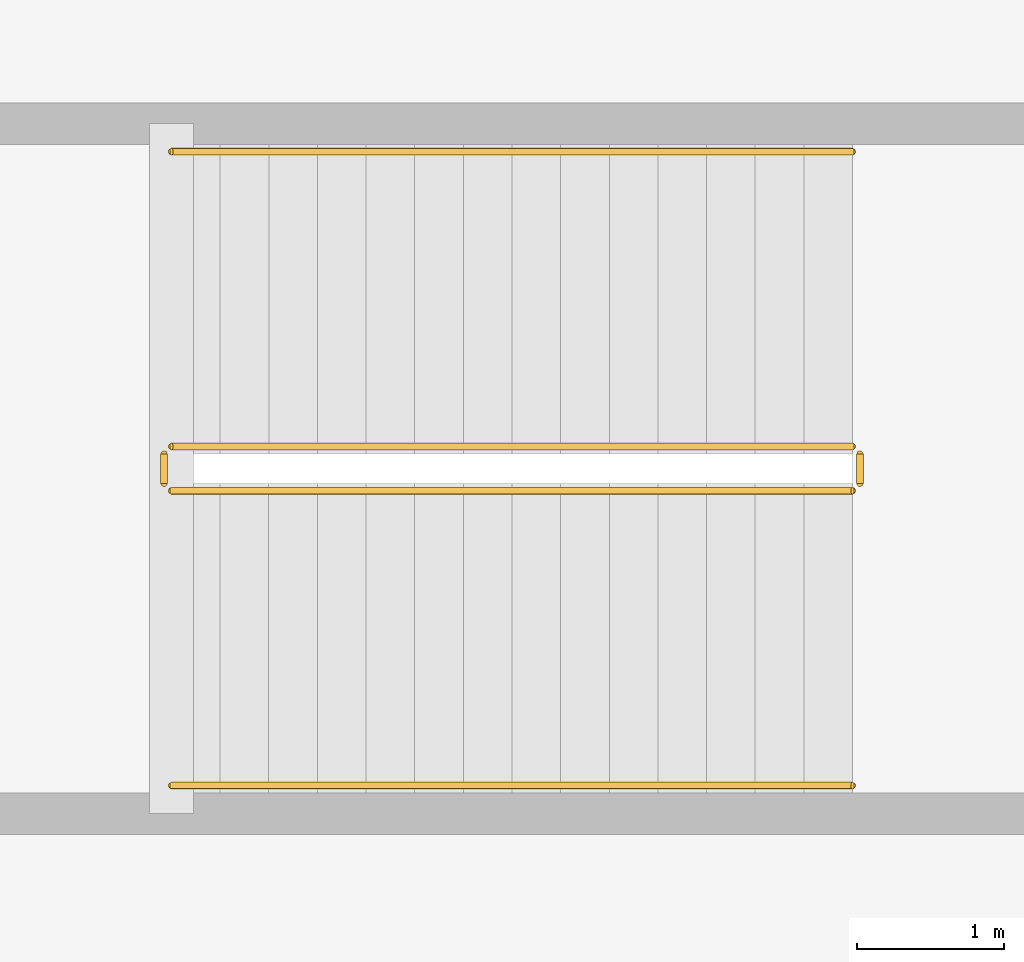
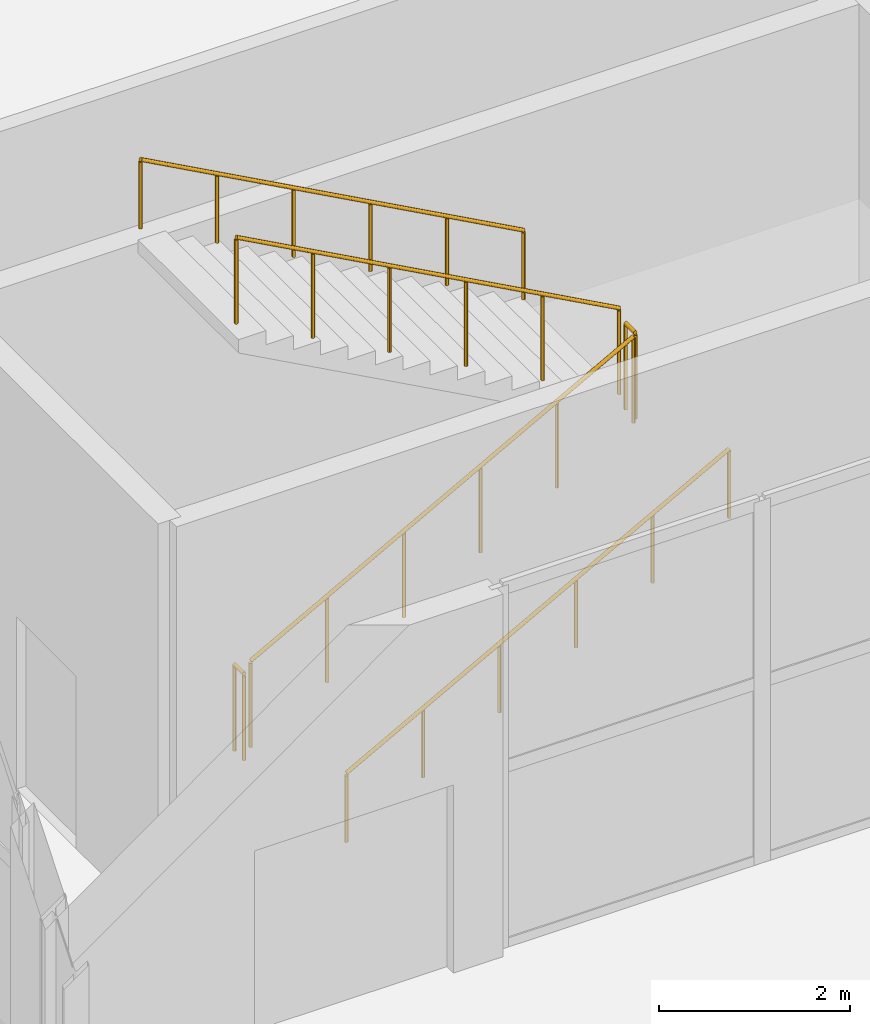
# One storey, part 73 of 87: 6 railings.
"""IFC4 building model written with IfcOpenShell, lengths in metres."""

from ifc_helpers import new_model, si_unit, direction, frame, origin, origin_2d, place, context, subcontext, project, spatial, circle, extrude, material, type_object, element, save


model = new_model("IFC4")

# Units and contexts
model_context = context("Model", 3, precision=1e-05, world=origin(), true_north=direction((0.0, 1.0)))
body_context = subcontext(model_context, "Body", "Model", "MODEL_VIEW")
ifc_project = project(units=[si_unit("LENGTHUNIT", "METRE"), si_unit("AREAUNIT", "SQUARE_METRE"), si_unit("VOLUMEUNIT", "CUBIC_METRE"), si_unit("PLANEANGLEUNIT", "RADIAN"), si_unit("MASSUNIT", "GRAM", prefix="KILO")], contexts=[model_context])

# Site, building, storey
site_placement = place(None, origin())
site = spatial("IfcSite", under=ifc_project, at=site_placement, CompositionType="ELEMENT")
building_placement = place(site_placement, origin())
building = spatial("IfcBuilding", under=site, at=building_placement, Name="Kimbaza Rail Terminus", CompositionType="ELEMENT")
storey_placement = place(building_placement, origin())
storey = spatial("IfcBuildingStorey", under=building, at=storey_placement, Name="L00", CompositionType="ELEMENT", Elevation=0.0)

# Railings
ifc_material_1 = material(Name="Brushed stainless steel handrail", Category="steel")
railing_type_1 = type_object("IfcRailingType", Name="ARC-RL-HND92", PredefinedType="HANDRAIL", material=ifc_material_1)
railing_1_placement = place(storey_placement, frame((59.89990234375, 43.25, 0.179931640625)))
element("IfcRailing", 1, at=railing_1_placement, inside=storey, type_object=railing_type_1, Name="L00 ST-S1 stair handrail 1", PredefinedType="HANDRAIL", context=body_context, shape_type="SweptSolid", body=[
    extrude(circle(Radius=0.02392578125, at=origin_2d()), frame((0.0, 0.0, 0.8759765625), z_axis=(0.877899118682, 0.0, 0.478845630049), x_axis=(0.0, 1.0, 0.0)), (0.0, 0.0, 1.0), 5.2626953125),
    extrude(circle(Radius=0.02099609375, at=origin_2d()), origin(), (0.0, 0.0, 1.0), 0.851806640625),
    extrude(circle(Radius=0.02099609375, at=origin_2d()), frame((0.924072265625, 0.0, 0.50390625)), (0.0, 0.0, 1.0), 0.851806640625),
    extrude(circle(Radius=0.02099609375, at=origin_2d()), frame((1.84814453125, 0.0, 1.008056640625)), (0.0, 0.0, 1.0), 0.851806640625),
    extrude(circle(Radius=0.02099609375, at=origin_2d()), frame((2.77197265625, 0.0, 1.511962890625)), (0.0, 0.0, 1.0), 0.851806640625),
    extrude(circle(Radius=0.02099609375, at=origin_2d()), frame((3.696044921875, 0.0, 2.01611328125)), (0.0, 0.0, 1.0), 0.851806640625),
    extrude(circle(Radius=0.02099609375, at=origin_2d()), frame((4.6201171875, 0.0, 2.52001953125)), (0.0, 0.0, 1.0), 0.851806640625),
])
railing_2_placement = place(storey_placement, frame((64.52001953125, 47.550048828125, 2.8798828125)))
element("IfcRailing", 2, at=railing_2_placement, inside=storey, type_object=railing_type_1, Name="L00 ST-S1 stair handrail 2", PredefinedType="HANDRAIL", context=body_context, shape_type="SweptSolid", body=[
    extrude(circle(Radius=0.02392578125, at=origin_2d()), frame((0.0, 0.0, 0.8759765625), z_axis=(-0.877899118682, 0.0, 0.478845630049), x_axis=(0.0, -1.0, 0.0)), (0.0, 0.0, 1.0), 5.2626953125),
    extrude(circle(Radius=0.02099609375, at=origin_2d()), origin(), (0.0, 0.0, 1.0), 0.851806640625),
    extrude(circle(Radius=0.02099609375, at=origin_2d()), frame((-0.924072265625, 0.0, 0.50390625)), (0.0, 0.0, 1.0), 0.851806640625),
    extrude(circle(Radius=0.02099609375, at=origin_2d()), frame((-1.84814453125, 0.0, 1.008056640625)), (0.0, 0.0, 1.0), 0.851806640625),
    extrude(circle(Radius=0.02099609375, at=origin_2d()), frame((-2.77197265625, 0.0, 1.511962890625)), (0.0, 0.0, 1.0), 0.851806640625),
    extrude(circle(Radius=0.02099609375, at=origin_2d()), frame((-3.696044921875, 0.0, 2.01611328125)), (0.0, 0.0, 1.0), 0.851806640625),
    extrude(circle(Radius=0.02099609375, at=origin_2d()), frame((-4.6201171875, 0.0, 2.52001953125)), (0.0, 0.0, 1.0), 0.851806640625),
])
ifc_material_2 = material(Name="Painted tubular steel stair well guard", Category="steel")
railing_type_2 = type_object("IfcRailingType", Name="ARC-RL-STGRD", PredefinedType="GUARDRAIL", material=ifc_material_2)
railing_3_placement = place(storey_placement, frame((59.89990234375, 45.25, 0.179931640625)))
element("IfcRailing", 3, at=railing_3_placement, inside=storey, type_object=railing_type_2, Name="L00 ST-S1 stair guard 1", PredefinedType="GUARDRAIL", context=body_context, shape_type="SweptSolid", body=[
    extrude(circle(Radius=0.02392578125, at=origin_2d()), frame((0.0, 0.0, 1.09619140625), z_axis=(0.877899118682, 0.0, 0.478845630049), x_axis=(0.0, 1.0, 0.0)), (0.0, 0.0, 1.0), 5.2626953125),
    extrude(circle(Radius=0.02099609375, at=origin_2d()), origin(), (0.0, 0.0, 1.0), 1.072021484375),
    extrude(circle(Radius=0.02099609375, at=origin_2d()), frame((0.924072265625, 0.0, 0.50390625)), (0.0, 0.0, 1.0), 1.072021484375),
    extrude(circle(Radius=0.02099609375, at=origin_2d()), frame((1.84814453125, 0.0, 1.008056640625)), (0.0, 0.0, 1.0), 1.072021484375),
    extrude(circle(Radius=0.02099609375, at=origin_2d()), frame((2.77197265625, 0.0, 1.511962890625)), (0.0, 0.0, 1.0), 1.072021484375),
    extrude(circle(Radius=0.02099609375, at=origin_2d()), frame((3.696044921875, 0.0, 2.01611328125)), (0.0, 0.0, 1.0), 1.072021484375),
    extrude(circle(Radius=0.02099609375, at=origin_2d()), frame((4.6201171875, 0.0, 2.52001953125)), (0.0, 0.0, 1.0), 1.072021484375),
])
railing_4_placement = place(storey_placement, frame((64.570068359375, 45.300048828125, 2.699951171875)))
element("IfcRailing", 4, at=railing_4_placement, inside=storey, type_object=railing_type_2, Name="L00 ST-S1 stair guard 2", PredefinedType="GUARDRAIL", context=body_context, shape_type="SweptSolid", body=[
    extrude(circle(Radius=0.02392578125, at=origin_2d()), frame((0.0, 0.0, 1.09619140625), z_axis=(0.0, 1.0, 0.0), x_axis=(-1.0, 0.0, 0.0)), (0.0, 0.0, 1.0), 0.199951171875),
    extrude(circle(Radius=0.02099609375, at=origin_2d()), origin(), (0.0, 0.0, 1.0), 1.072021484375),
    extrude(circle(Radius=0.02099609375, at=origin_2d()), frame((0.0, 0.199951171875, 0.0)), (0.0, 0.0, 1.0), 1.072021484375),
])
railing_5_placement = place(storey_placement, frame((64.52001953125, 45.550048828125, 2.8798828125)))
element("IfcRailing", 5, at=railing_5_placement, inside=storey, type_object=railing_type_2, Name="L00 ST-S1 stair guard 3", PredefinedType="GUARDRAIL", context=body_context, shape_type="SweptSolid", body=[
    extrude(circle(Radius=0.02392578125, at=origin_2d()), frame((0.0, 0.0, 1.09619140625), z_axis=(-0.877899118682, 0.0, 0.478845630049), x_axis=(0.0, -1.0, 0.0)), (0.0, 0.0, 1.0), 5.2626953125),
    extrude(circle(Radius=0.02099609375, at=origin_2d()), origin(), (0.0, 0.0, 1.0), 1.072021484375),
    extrude(circle(Radius=0.02099609375, at=origin_2d()), frame((-0.924072265625, 0.0, 0.50390625)), (0.0, 0.0, 1.0), 1.072021484375),
    extrude(circle(Radius=0.02099609375, at=origin_2d()), frame((-1.84814453125, 0.0, 1.008056640625)), (0.0, 0.0, 1.0), 1.072021484375),
    extrude(circle(Radius=0.02099609375, at=origin_2d()), frame((-2.77197265625, 0.0, 1.511962890625)), (0.0, 0.0, 1.0), 1.072021484375),
    extrude(circle(Radius=0.02099609375, at=origin_2d()), frame((-3.696044921875, 0.0, 2.01611328125)), (0.0, 0.0, 1.0), 1.072021484375),
    extrude(circle(Radius=0.02099609375, at=origin_2d()), frame((-4.6201171875, 0.0, 2.52001953125)), (0.0, 0.0, 1.0), 1.072021484375),
])
railing_6_placement = place(storey_placement, frame((59.85009765625, 45.300048828125, 0.0)))
element("IfcRailing", 6, at=railing_6_placement, inside=storey, type_object=railing_type_2, Name="L00 ST-S1 stair guard 4", PredefinedType="GUARDRAIL", context=body_context, shape_type="SweptSolid", body=[
    extrude(circle(Radius=0.02392578125, at=origin_2d()), frame((0.0, 0.0, 1.09619140625), z_axis=(0.0, 1.0, 0.0), x_axis=(-1.0, 0.0, 0.0)), (0.0, 0.0, 1.0), 0.199951171875),
    extrude(circle(Radius=0.02099609375, at=origin_2d()), origin(), (0.0, 0.0, 1.0), 1.072021484375),
    extrude(circle(Radius=0.02099609375, at=origin_2d()), frame((0.0, 0.199951171875, 0.0)), (0.0, 0.0, 1.0), 1.072021484375),
])

save(model, "model.ifc")
